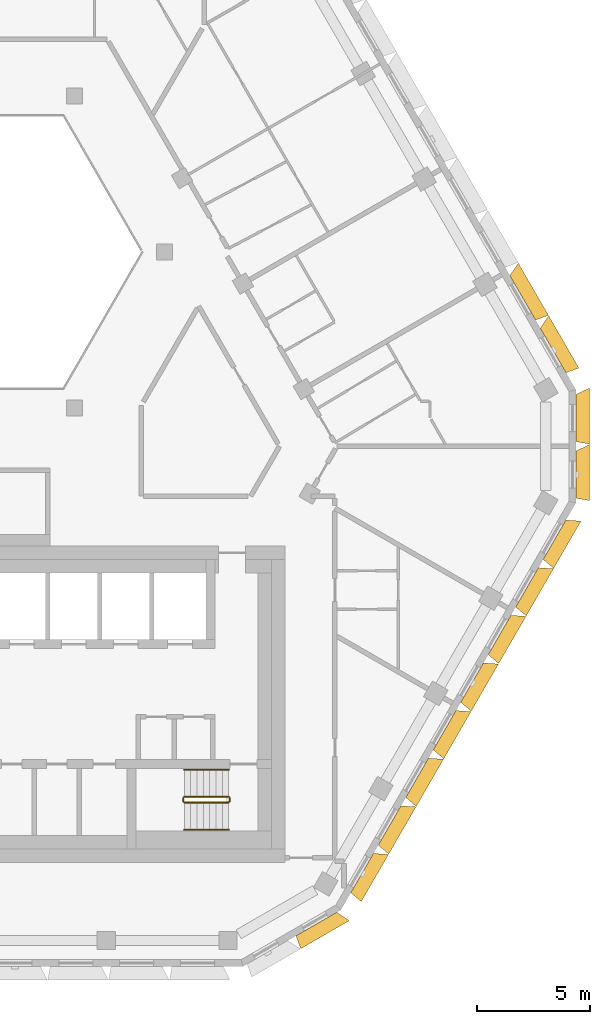
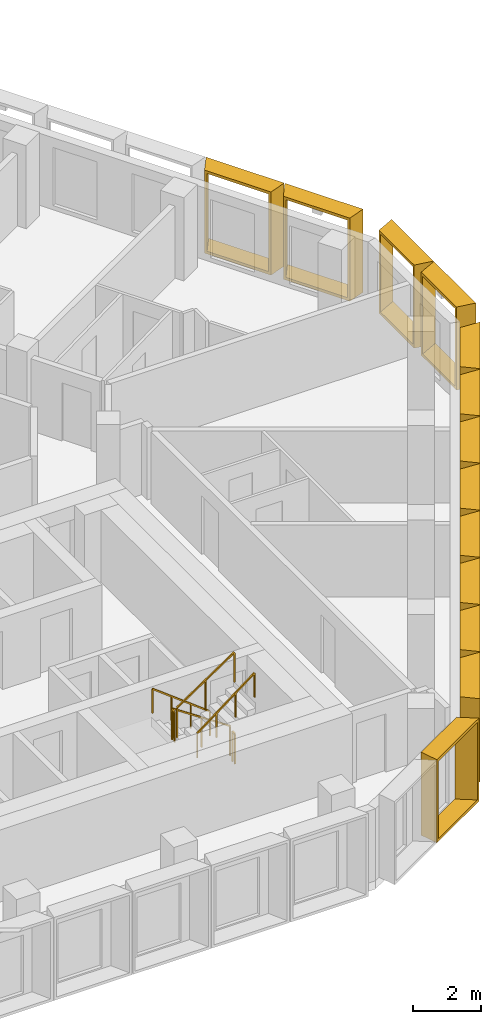
# One storey, part 17 of 18: 13 shading devices, 6 railings.
"""IFC4 building model written with IfcOpenShell, lengths in metres."""

from ifc_helpers import new_model, entity, si_unit, direction, frame, origin, origin_2d, place, context, subcontext, project, spatial, rectangle, extrude, source, transform, mapped, material, type_object, type_shapes, element, save


model = new_model("IFC4")

# Units and contexts
model_context = context("Model", 3, precision=1e-05, world=origin(), true_north=direction((0.0, 1.0)))
body_context = subcontext(model_context, "Body", "Model", "MODEL_VIEW")
ifc_project = project(units=[si_unit("LENGTHUNIT", "METRE"), si_unit("AREAUNIT", "SQUARE_METRE"), si_unit("VOLUMEUNIT", "CUBIC_METRE"), si_unit("PLANEANGLEUNIT", "RADIAN"), si_unit("MASSUNIT", "GRAM", prefix="KILO")], contexts=[model_context])

# Site, building, storey
site_placement = place(None, origin())
site = spatial("IfcSite", under=ifc_project, at=site_placement, CompositionType="ELEMENT")
building_placement = place(site_placement, origin())
building = spatial("IfcBuilding", under=site, at=building_placement, Name="Beryl Residences", CompositionType="ELEMENT")
storey_placement = place(building_placement, frame((0.0, 0.0, 196.199951171875)))
storey = spatial("IfcBuildingStorey", under=building, at=storey_placement, Name="L60", CompositionType="ELEMENT", Elevation=196.199951171875)

# Shading devices
ifc_material_1 = material(Name="Aluminium pale anodised", Category="aluminium")
shading_device_type_1 = type_object("IfcShadingDeviceType", Name="FR243-60C OUTER SKIN frame 600 mm deep, splay 10/26 deg, 2430 x 3000 mm cell", PredefinedType="USERDEFINED", material=ifc_material_1)
cartesian_point_1 = entity("IfcCartesianPoint", [-1.005615234375, 0.0])
cartesian_point_2 = entity("IfcCartesianPoint", [-0.92431640625, 0.10009765625])
cartesian_point_3 = entity("IfcCartesianPoint", [-1.111328125, 0.0])
cartesian_point_4 = entity("IfcCartesianPoint", [-1.030029296875, 0.10009765625])
shared_shape_1 = source(origin(), body_context, "Body", "SweptSolid", [
    entity("IfcExtrudedAreaSolidTapered", entity("IfcArbitraryProfileDefWithVoids", "AREA", None, entity("IfcPolyline", [cartesian_point_1, entity("IfcCartesianPoint", [1.005615234375, 0.0]), entity("IfcCartesianPoint", [1.005615234375, 3.0]), entity("IfcCartesianPoint", [-1.005615234375, 3.0]), cartesian_point_1]), [entity("IfcPolyline", [cartesian_point_2, entity("IfcCartesianPoint", [0.91650390625, 0.10009765625]), entity("IfcCartesianPoint", [0.91650390625, 2.89990234375]), entity("IfcCartesianPoint", [-0.92431640625, 2.89990234375]), cartesian_point_2])]), entity("IfcAxis2Placement3D", entity("IfcCartesianPoint", [0.0, 0.0, 0.0]), entity("IfcDirection", [0.0, 1.0, 0.0]), entity("IfcDirection", [-1.0, 0.0, 0.0])), entity("IfcDirection", [0.0, 0.0, 1.0]), 0.60009765625, entity("IfcArbitraryProfileDefWithVoids", "AREA", None, entity("IfcPolyline", [cartesian_point_3, entity("IfcCartesianPoint", [1.298095703125, 0.0]), entity("IfcCartesianPoint", [1.298095703125, 3.0]), entity("IfcCartesianPoint", [-1.111328125, 3.0]), cartesian_point_3]), [entity("IfcPolyline", [cartesian_point_4, entity("IfcCartesianPoint", [1.209228515625, 0.10009765625]), entity("IfcCartesianPoint", [1.209228515625, 2.89990234375]), entity("IfcCartesianPoint", [-1.030029296875, 2.89990234375]), cartesian_point_4])])),
])
type_shapes(shading_device_type_1, [shared_shape_1])
for number, where, z_axis, x_axis, name in (
    (1, (16.700927734375, -19.471923828125, 0.0), (0.0, 0.0, 1.0), (-0.5, -0.866025403784, 0.0), "FR243-60C frame L60 SE 1"),
    (2, (17.9169921875, -17.365966796875, 0.0), (0.0, 0.0, 1.0), (-0.5, -0.866025403784, 0.0), "FR243-60C frame L60 SE 2"),
    (3, (19.133056640625, -15.260009765625, 0.0), (0.0, 0.0, 1.0), (-0.5, -0.866025403784, 0.0), "FR243-60C frame L60 SE 3"),
    (4, (20.34912109375, -13.154052734375, 0.0), (0.0, 0.0, 1.0), (-0.5, -0.866025403784, 0.0), "FR243-60C frame L60 SE 4"),
    (5, (21.56396484375, -11.048095703125, 0.0), (0.0, 0.0, 1.0), (-0.5, -0.866025403784, 0.0), "FR243-60C frame L60 SE 5"),
    (6, (22.780029296875, -8.94189453125, 0.0), (0.0, 0.0, 1.0), (-0.5, -0.866025403784, 0.0), "FR243-60C frame L60 SE 6"),
    (7, (23.99609375, -6.8349609375, 0.0), (0.0, 0.0, 1.0), (-0.5, -0.866025403784, 0.0), "FR243-60C frame L60 SE 7"),
    (8, (25.2119140625, -4.72900390625, 0.0), (0.0, 0.0, 1.0), (-0.5, -0.866025403784, 0.0), "FR243-60C frame L60 SE 8"),
):
    element("IfcShadingDevice", number, at=place(storey_placement, frame(where, z_axis=z_axis, x_axis=x_axis)), inside=storey, type_object=shading_device_type_1, Name=name, ObjectType="OUTER SKIN", PredefinedType="USERDEFINED", context=body_context, shape_type="MappedRepresentation", body=[
        mapped(shared_shape_1, transform((0.0, 0.0, 0.0))),
    ])
ifc_material_2 = material(Name="Aluminium pale anodised", Category="aluminium")
shading_device_type_2 = type_object("IfcShadingDeviceType", Name="FR250-60C OUTER SKIN frame 600 mm deep, splay 10/26 deg, 2500 x 3000 mm cell", PredefinedType="USERDEFINED", material=ifc_material_2)
cartesian_point_5 = entity("IfcCartesianPoint", [-1.04052734375, 0.0])
cartesian_point_6 = entity("IfcCartesianPoint", [-0.959228515625, 0.10009765625])
cartesian_point_7 = entity("IfcCartesianPoint", [-1.146240234375, 0.0])
cartesian_point_8 = entity("IfcCartesianPoint", [-1.06494140625, 0.10009765625])
shared_shape_2 = source(origin(), body_context, "Body", "SweptSolid", [
    entity("IfcExtrudedAreaSolidTapered", entity("IfcArbitraryProfileDefWithVoids", "AREA", None, entity("IfcPolyline", [cartesian_point_5, entity("IfcCartesianPoint", [1.04052734375, 0.0]), entity("IfcCartesianPoint", [1.04052734375, 3.0]), entity("IfcCartesianPoint", [-1.04052734375, 3.0]), cartesian_point_5]), [entity("IfcPolyline", [cartesian_point_6, entity("IfcCartesianPoint", [0.951416015625, 0.10009765625]), entity("IfcCartesianPoint", [0.951416015625, 2.89990234375]), entity("IfcCartesianPoint", [-0.959228515625, 2.89990234375]), cartesian_point_6])]), entity("IfcAxis2Placement3D", entity("IfcCartesianPoint", [0.0, 0.0, 0.0]), entity("IfcDirection", [0.0, 1.0, 0.0]), entity("IfcDirection", [-1.0, 0.0, 0.0])), entity("IfcDirection", [0.0, 0.0, 1.0]), 0.60009765625, entity("IfcArbitraryProfileDefWithVoids", "AREA", None, entity("IfcPolyline", [cartesian_point_7, entity("IfcCartesianPoint", [1.333251953125, 0.0]), entity("IfcCartesianPoint", [1.333251953125, 3.0]), entity("IfcCartesianPoint", [-1.146240234375, 3.0]), cartesian_point_7]), [entity("IfcPolyline", [cartesian_point_8, entity("IfcCartesianPoint", [1.244140625, 0.10009765625]), entity("IfcCartesianPoint", [1.244140625, 2.89990234375]), entity("IfcCartesianPoint", [-1.06494140625, 2.89990234375]), cartesian_point_8])])),
])
type_shapes(shading_device_type_2, [shared_shape_2])
for number, where, z_axis, x_axis, name in (
    (9, (14.677978515625, -21.72509765625, 0.0), (0.0, 0.0, 1.0), (-0.866025403784, -0.5, 0.0), "FR250-60C frame L60 S-SE 2"),
    (10, (26.154052734375, -1.85009765625, 0.0), (0.0, 0.0, 1.0), (0.0, -1.0, 0.0), "FR250-60C frame L60 SE-NE 1"),
    (11, (26.154052734375, 0.64990234375, 0.0), (0.0, 0.0, 1.0), (0.0, -1.0, 0.0), "FR250-60C frame L60 SE-NE 2"),
):
    element("IfcShadingDevice", number, at=place(storey_placement, frame(where, z_axis=z_axis, x_axis=x_axis)), inside=storey, type_object=shading_device_type_2, Name=name, ObjectType="OUTER SKIN", PredefinedType="USERDEFINED", context=body_context, shape_type="MappedRepresentation", body=[
        mapped(shared_shape_2, transform((0.0, 0.0, 0.0))),
    ])
ifc_material_3 = material(Name="Aluminium pale anodised", Category="aluminium")
shading_device_type_3 = type_object("IfcShadingDeviceType", Name="FR269-60C OUTER SKIN frame 600 mm deep, splay 10/26 deg, 2690 x 3000 mm cell", PredefinedType="USERDEFINED", material=ifc_material_3)
cartesian_point_9 = entity("IfcCartesianPoint", [-1.135498046875, 0.0])
cartesian_point_10 = entity("IfcCartesianPoint", [-1.05419921875, 0.10009765625])
cartesian_point_11 = entity("IfcCartesianPoint", [-1.2412109375, 0.0])
cartesian_point_12 = entity("IfcCartesianPoint", [-1.16015625, 0.10009765625])
shared_shape_3 = source(origin(), body_context, "Body", "SweptSolid", [
    entity("IfcExtrudedAreaSolidTapered", entity("IfcArbitraryProfileDefWithVoids", "AREA", None, entity("IfcPolyline", [cartesian_point_9, entity("IfcCartesianPoint", [1.135498046875, 0.0]), entity("IfcCartesianPoint", [1.135498046875, 3.0]), entity("IfcCartesianPoint", [-1.135498046875, 3.0]), cartesian_point_9]), [entity("IfcPolyline", [cartesian_point_10, entity("IfcCartesianPoint", [1.04638671875, 0.10009765625]), entity("IfcCartesianPoint", [1.04638671875, 2.89990234375]), entity("IfcCartesianPoint", [-1.05419921875, 2.89990234375]), cartesian_point_10])]), entity("IfcAxis2Placement3D", entity("IfcCartesianPoint", [0.0, 0.0, 0.0]), entity("IfcDirection", [0.0, 1.0, 0.0]), entity("IfcDirection", [-1.0, 0.0, 0.0])), entity("IfcDirection", [0.0, 0.0, 1.0]), 0.60009765625, entity("IfcArbitraryProfileDefWithVoids", "AREA", None, entity("IfcPolyline", [cartesian_point_11, entity("IfcCartesianPoint", [1.42822265625, 0.0]), entity("IfcCartesianPoint", [1.42822265625, 3.0]), entity("IfcCartesianPoint", [-1.2412109375, 3.0]), cartesian_point_11]), [entity("IfcPolyline", [cartesian_point_12, entity("IfcCartesianPoint", [1.339111328125, 0.10009765625]), entity("IfcCartesianPoint", [1.339111328125, 2.89990234375]), entity("IfcCartesianPoint", [-1.16015625, 2.89990234375]), cartesian_point_12])])),
])
type_shapes(shading_device_type_3, [shared_shape_3])
for number, where, z_axis, x_axis, name in (
    (12, (25.14892578125, 3.639892578125, 0.0), (0.0, 0.0, 1.0), (0.5, -0.866025403784, 0.0), "FR269-60C frame L60 NE 1"),
    (13, (23.802978515625, 5.971923828125, 0.0), (0.0, 0.0, 1.0), (0.5, -0.866025403784, 0.0), "FR269-60C frame L60 NE 2"),
):
    element("IfcShadingDevice", number, at=place(storey_placement, frame(where, z_axis=z_axis, x_axis=x_axis)), inside=storey, type_object=shading_device_type_3, Name=name, ObjectType="OUTER SKIN", PredefinedType="USERDEFINED", context=body_context, shape_type="MappedRepresentation", body=[
        mapped(shared_shape_3, transform((0.0, 0.0, 0.0))),
    ])

# Railings
ifc_material_4 = material(Name="Stainless steel balustrade with glass infill", Category="steel")
railing_type_1 = type_object("IfcRailingType", Name="SG1 stair guard 1100 mm", PredefinedType="GUARDRAIL", material=ifc_material_4)
railing_1_placement = place(storey_placement, frame((10.800048828125, -16.10009765625, 0.1875)))
element("IfcRailing", 14, at=railing_1_placement, inside=storey, type_object=railing_type_1, Name="L60 ST-3 stair guard 1", PredefinedType="GUARDRAIL", context=body_context, shape_type="SweptSolid", body=[
    extrude(rectangle(XDim=0.048095703125, YDim=0.048095703125, at=origin_2d()), frame((0.0, 0.0, 1.076171875), z_axis=(-0.830902050051, 0.0, 0.556418712142), x_axis=(0.0, -1.0, 0.0)), (0.0, 0.0, 1.0), 2.35888671875),
    extrude(rectangle(XDim=0.0419921875, YDim=0.0419921875, at=origin_2d()), origin(), (0.0, 0.0, 1.0), 1.052001953125),
    extrude(rectangle(XDim=0.0419921875, YDim=0.0419921875, at=origin_2d()), frame((-0.97998046875, 0.0, 0.65625)), (0.0, 0.0, 1.0), 1.052001953125),
    extrude(rectangle(XDim=0.0419921875, YDim=0.0419921875, at=origin_2d()), frame((-1.9599609375, 0.0, 1.3125)), (0.0, 0.0, 1.0), 1.052001953125),
])
railing_2_placement = place(storey_placement, frame((8.7900390625, -16.14990234375, 1.5)))
element("IfcRailing", 15, at=railing_2_placement, inside=storey, type_object=railing_type_1, Name="L60 ST-3 stair guard 2", PredefinedType="GUARDRAIL", context=body_context, shape_type="SweptSolid", body=[
    extrude(rectangle(XDim=0.048095703125, YDim=0.048095703125, at=origin_2d()), frame((0.0, 0.0, 1.076171875), z_axis=(0.0, -1.0, 0.0), x_axis=(1.0, 0.0, 0.0)), (0.0, 0.0, 1.0), 0.150146484375),
    extrude(rectangle(XDim=0.0419921875, YDim=0.0419921875, at=origin_2d()), origin(), (0.0, 0.0, 1.0), 1.052001953125),
    extrude(rectangle(XDim=0.0419921875, YDim=0.0419921875, at=origin_2d()), frame((0.0, -0.150146484375, 0.0)), (0.0, 0.0, 1.0), 1.052001953125),
])
railing_3_placement = place(storey_placement, frame((8.840087890625, -16.35009765625, 1.6875)))
element("IfcRailing", 16, at=railing_3_placement, inside=storey, type_object=railing_type_1, Name="L60 ST-3 stair guard 3", PredefinedType="GUARDRAIL", context=body_context, shape_type="SweptSolid", body=[
    extrude(rectangle(XDim=0.048095703125, YDim=0.048095703125, at=origin_2d()), frame((0.0, 0.0, 1.076171875), z_axis=(0.830902050051, 0.0, 0.556418712142), x_axis=(0.0, 1.0, 0.0)), (0.0, 0.0, 1.0), 2.35888671875),
    extrude(rectangle(XDim=0.0419921875, YDim=0.0419921875, at=origin_2d()), origin(), (0.0, 0.0, 1.0), 1.052001953125),
    extrude(rectangle(XDim=0.0419921875, YDim=0.0419921875, at=origin_2d()), frame((0.97998046875, 0.0, 0.65625)), (0.0, 0.0, 1.0), 1.052001953125),
    extrude(rectangle(XDim=0.0419921875, YDim=0.0419921875, at=origin_2d()), frame((1.9599609375, 0.0, 1.3125)), (0.0, 0.0, 1.0), 1.052001953125),
])
railing_4_placement = place(storey_placement, frame((10.85009765625, -16.14990234375, 0.0)))
element("IfcRailing", 17, at=railing_4_placement, inside=storey, type_object=railing_type_1, Name="L60 ST-3 stair guard 4", PredefinedType="GUARDRAIL", context=body_context, shape_type="SweptSolid", body=[
    extrude(rectangle(XDim=0.048095703125, YDim=0.048095703125, at=origin_2d()), frame((0.0, 0.0, 1.076171875), z_axis=(0.0, -1.0, 0.0), x_axis=(1.0, 0.0, 0.0)), (0.0, 0.0, 1.0), 0.150146484375),
    extrude(rectangle(XDim=0.0419921875, YDim=0.0419921875, at=origin_2d()), origin(), (0.0, 0.0, 1.0), 1.052001953125),
    extrude(rectangle(XDim=0.0419921875, YDim=0.0419921875, at=origin_2d()), frame((0.0, -0.150146484375, 0.0)), (0.0, 0.0, 1.0), 1.052001953125),
])
ifc_material_5 = material(Name="Stainless steel handrail", Category="steel")
railing_type_2 = type_object("IfcRailingType", Name="SRL1 stair handrail 900 mm", PredefinedType="HANDRAIL", material=ifc_material_5)
railing_5_placement = place(storey_placement, frame((10.800048828125, -14.89990234375, 0.1875)))
element("IfcRailing", 18, at=railing_5_placement, inside=storey, type_object=railing_type_2, Name="L60 ST-3 stair handrail 1", PredefinedType="HANDRAIL", context=body_context, shape_type="SweptSolid", body=[
    extrude(rectangle(XDim=0.048095703125, YDim=0.048095703125, at=origin_2d()), frame((0.0, 0.0, 0.8759765625), z_axis=(-0.794121922505, 0.0, 0.607758481798), x_axis=(0.0, -1.0, 0.0)), (0.0, 0.0, 1.0), 2.468017578125),
    extrude(rectangle(XDim=0.0419921875, YDim=0.0419921875, at=origin_2d()), origin(), (0.0, 0.0, 1.0), 0.851806640625),
    extrude(rectangle(XDim=0.0419921875, YDim=0.0419921875, at=origin_2d()), frame((-0.6533203125, 0.0, 0.5)), (0.0, 0.0, 1.0), 0.851806640625),
    extrude(rectangle(XDim=0.0419921875, YDim=0.0419921875, at=origin_2d()), frame((-1.306640625, 0.0, 1.0)), (0.0, 0.0, 1.0), 0.851806640625),
    extrude(rectangle(XDim=0.0419921875, YDim=0.0419921875, at=origin_2d()), frame((-1.9599609375, 0.0, 1.5)), (0.0, 0.0, 1.0), 0.851806640625),
])
railing_6_placement = place(storey_placement, frame((8.840087890625, -17.550048828125, 1.6875)))
element("IfcRailing", 19, at=railing_6_placement, inside=storey, type_object=railing_type_2, Name="L60 ST-3 stair handrail 2", PredefinedType="HANDRAIL", context=body_context, shape_type="SweptSolid", body=[
    extrude(rectangle(XDim=0.048095703125, YDim=0.048095703125, at=origin_2d()), frame((0.0, 0.0, 0.8759765625), z_axis=(0.794121922505, 0.0, 0.607758481798), x_axis=(0.0, 1.0, 0.0)), (0.0, 0.0, 1.0), 2.468017578125),
    extrude(rectangle(XDim=0.0419921875, YDim=0.0419921875, at=origin_2d()), origin(), (0.0, 0.0, 1.0), 0.851806640625),
    extrude(rectangle(XDim=0.0419921875, YDim=0.0419921875, at=origin_2d()), frame((0.6533203125, 0.0, 0.5)), (0.0, 0.0, 1.0), 0.851806640625),
    extrude(rectangle(XDim=0.0419921875, YDim=0.0419921875, at=origin_2d()), frame((1.306640625, 0.0, 1.0)), (0.0, 0.0, 1.0), 0.851806640625),
    extrude(rectangle(XDim=0.0419921875, YDim=0.0419921875, at=origin_2d()), frame((1.9599609375, 0.0, 1.5)), (0.0, 0.0, 1.0), 0.851806640625),
])

save(model, "model.ifc")
